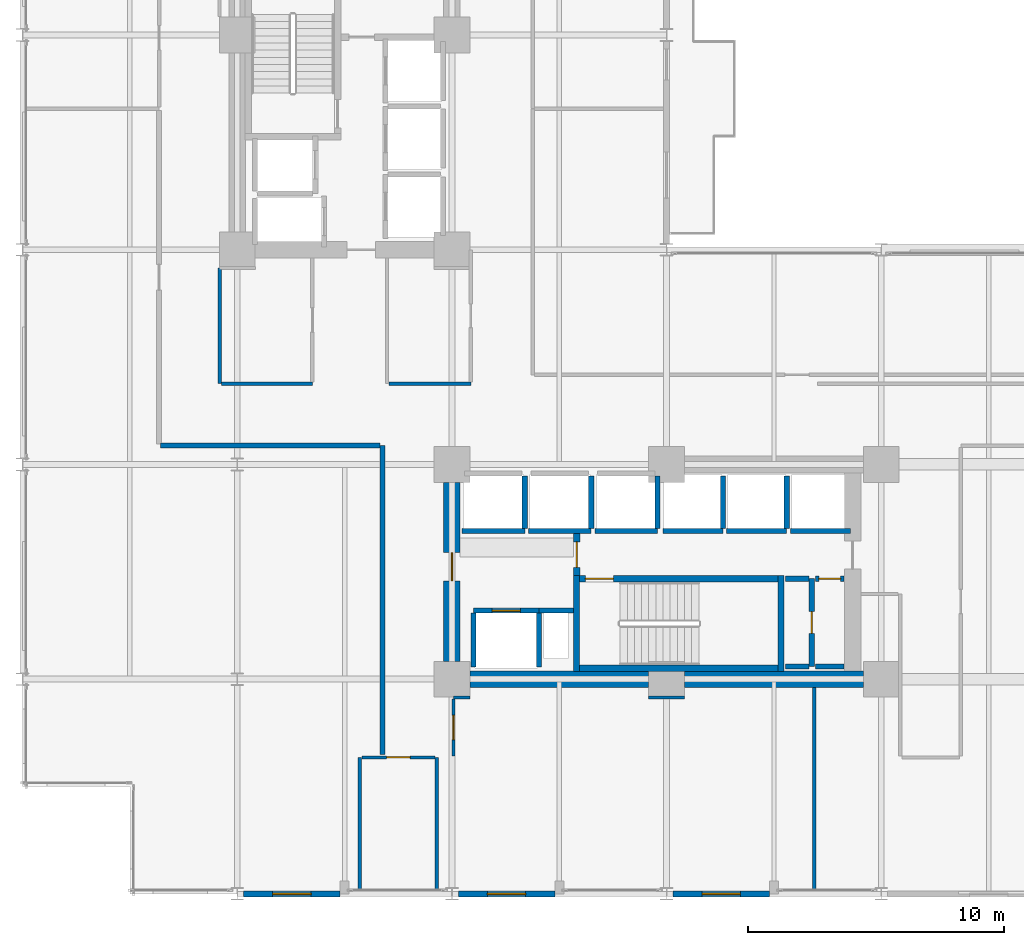
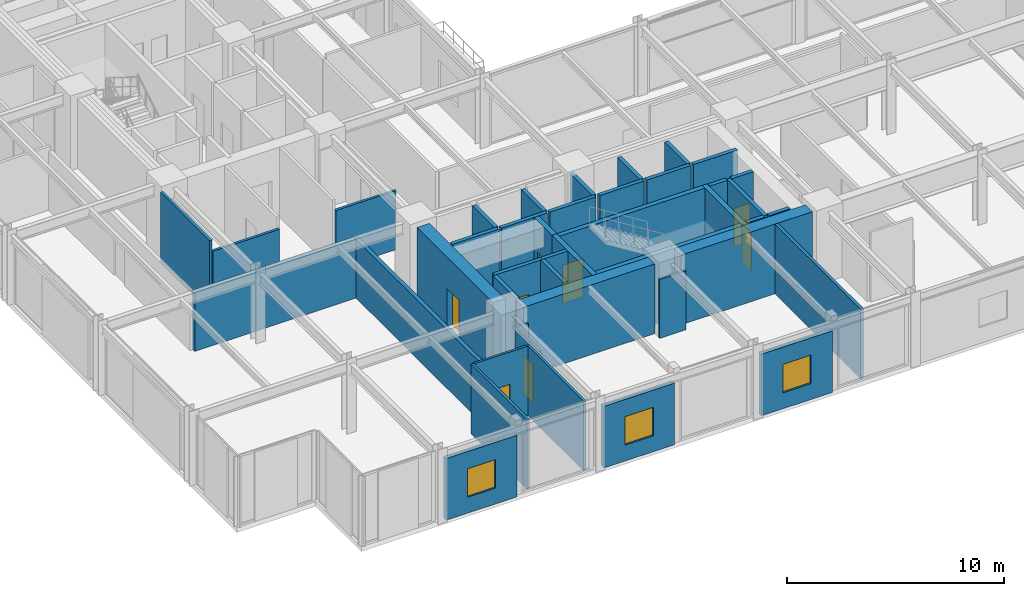
# One storey, part 20 of 25: 43 walls, 8 doors, 3 windows, 11 openings.
"""IFC4 building model written with IfcOpenShell, lengths in metres."""

from ifc_helpers import new_model, si_unit, direction, frame, frame_2d, origin, place, context, subcontext, project, spatial, rectangle, extrude, material, layer, layer_set, type_object, element, fill, save


model = new_model("IFC4")

# Units and contexts
model_context = context("Model", 3, precision=1e-05, world=origin(), true_north=direction((0.0, 1.0)))
body_context = subcontext(model_context, "Body", "Model", "MODEL_VIEW")
ifc_project = project(units=[si_unit("LENGTHUNIT", "METRE"), si_unit("AREAUNIT", "SQUARE_METRE"), si_unit("VOLUMEUNIT", "CUBIC_METRE"), si_unit("PLANEANGLEUNIT", "RADIAN"), si_unit("MASSUNIT", "GRAM", prefix="KILO")], contexts=[model_context])

# Site, building, storey
site_placement = place(None, origin())
site = spatial("IfcSite", under=ifc_project, at=site_placement, CompositionType="ELEMENT")
building_placement = place(site_placement, origin())
building = spatial("IfcBuilding", under=site, at=building_placement, Name="Nerrivon Quay Data Exchange", CompositionType="ELEMENT")
storey_placement = place(building_placement, frame((0.0, 0.0, 58.39990234375)))
storey = spatial("IfcBuildingStorey", under=building, at=storey_placement, Name="L13", CompositionType="ELEMENT", Elevation=58.39990234375)

# Wall, opening, window
ifc_material_1 = material(Name="Architectural terracotta precast concrete N50 (50 MPa)", Category="masonry")
ifc_layer_1 = layer(ifc_material_1, 0.239990234375)
ifc_layer_set_1 = layer_set([ifc_layer_1], Name="Architectural terracotta precast concrete N50 (50 MPa)")
wall_type_1 = type_object("IfcWallType", Name="EW-PREC-240", PredefinedType="STANDARD", material=ifc_layer_set_1)
wall_1_placement = place(storey_placement, frame((29.22509765625, 0.0, 0.0), z_axis=(0.0, 0.0, 1.0), x_axis=(-1.0, 0.0, 0.0)))
wall_1 = element("IfcWall", 1, at=wall_1_placement, inside=storey, type_object=wall_type_1, Name="L13 Podium Precast Spandrel Wall 5", PredefinedType="STANDARD", context=body_context, shape_type="SweptSolid", body=[
    extrude(rectangle(XDim=3.775146484375, YDim=0.239990234375, at=frame_2d((1.8876953125, 0.0))), origin(), (0.0, 0.0, 1.0), 3.47119140625),
])
opening_1_placement = place(wall_1_placement, frame((1.137451171875, 0.0, 0.89990234375)))
opening_1 = element("IfcOpeningElement", 2, at=opening_1_placement, cuts=wall_1, Name="Opening WN4", PredefinedType="OPENING", context=body_context, shape_type="SweptSolid", body=[
    extrude(rectangle(XDim=1.5, YDim=1.60009765625, at=frame_2d((0.75, 0.800048828125))), frame((0.0, 0.1298828125, 0.0), z_axis=(0.0, -1.0, 0.0), x_axis=(1.0, 0.0, 0.0)), (0.0, 0.0, 1.0), 0.260009765625),
])
ifc_material_2 = material(Name="Double-glazed low-E solar control glass", Category="glass")
window_type = type_object("IfcWindowType", Name="WIN-W4-1500x1600", PartitioningType="SINGLE_PANEL", PredefinedType="WINDOW", material=ifc_material_2)
window_1_placement = place(opening_1_placement, origin())
window_1 = element("IfcWindow", 3, at=window_1_placement, inside=storey, type_object=window_type, Name="L13 Solar Facade Window 5", OverallHeight=1.60009765625, OverallWidth=1.5, PartitioningType="SINGLE_PANEL", PredefinedType="WINDOW", context=body_context, shape_type="SweptSolid", body=[
    extrude(rectangle(XDim=1.5, YDim=1.60009765625, at=frame_2d((0.75, 0.800048828125))), frame((0.0, 0.030029296875, 0.0), z_axis=(0.0, -1.0, 0.0), x_axis=(1.0, 0.0, 0.0)), (0.0, 0.0, 1.0), 0.06005859375),
])
fill(opening_1, window_1)

wall_2_placement = place(storey_placement, frame((20.824951171875, 0.0, 0.0), z_axis=(0.0, 0.0, 1.0), x_axis=(-1.0, 0.0, 0.0)))
wall_2 = element("IfcWall", 4, at=wall_2_placement, inside=storey, type_object=wall_type_1, Name="L13 Podium Precast Spandrel Wall 7", PredefinedType="STANDARD", context=body_context, shape_type="SweptSolid", body=[
    extrude(rectangle(XDim=3.77490234375, YDim=0.239990234375, at=frame_2d((1.887451171875, 0.0))), origin(), (0.0, 0.0, 1.0), 3.47119140625),
])
opening_2_placement = place(wall_2_placement, frame((1.137451171875, 0.0, 0.89990234375)))
opening_2 = element("IfcOpeningElement", 5, at=opening_2_placement, cuts=wall_2, Name="Opening WN4", PredefinedType="OPENING", context=body_context, shape_type="SweptSolid", body=[
    extrude(rectangle(XDim=1.5, YDim=1.60009765625, at=frame_2d((0.75, 0.800048828125))), frame((0.0, 0.1298828125, 0.0), z_axis=(0.0, -1.0, 0.0), x_axis=(1.0, 0.0, 0.0)), (0.0, 0.0, 1.0), 0.260009765625),
])
window_2_placement = place(opening_2_placement, origin())
window_2 = element("IfcWindow", 6, at=window_2_placement, inside=storey, type_object=window_type, Name="L13 Solar Facade Window 7", OverallHeight=1.60009765625, OverallWidth=1.5, PartitioningType="SINGLE_PANEL", PredefinedType="WINDOW", context=body_context, shape_type="SweptSolid", body=[
    extrude(rectangle(XDim=1.5, YDim=1.60009765625, at=frame_2d((0.75, 0.800048828125))), frame((0.0, 0.030029296875, 0.0), z_axis=(0.0, -1.0, 0.0), x_axis=(1.0, 0.0, 0.0)), (0.0, 0.0, 1.0), 0.06005859375),
])
fill(opening_2, window_2)

wall_3_placement = place(storey_placement, frame((12.425048828125, 0.0, 0.0), z_axis=(0.0, 0.0, 1.0), x_axis=(-1.0, 0.0, 0.0)))
wall_3 = element("IfcWall", 7, at=wall_3_placement, inside=storey, type_object=wall_type_1, Name="L13 Podium Precast Spandrel Wall 9", PredefinedType="STANDARD", context=body_context, shape_type="SweptSolid", body=[
    extrude(rectangle(XDim=3.775146484375, YDim=0.239990234375, at=frame_2d((1.8876953125, 0.0))), origin(), (0.0, 0.0, 1.0), 3.47119140625),
])
opening_3_placement = place(wall_3_placement, frame((1.137451171875, 0.0, 0.89990234375)))
opening_3 = element("IfcOpeningElement", 8, at=opening_3_placement, cuts=wall_3, Name="Opening WN4", PredefinedType="OPENING", context=body_context, shape_type="SweptSolid", body=[
    extrude(rectangle(XDim=1.5, YDim=1.60009765625, at=frame_2d((0.75, 0.800048828125))), frame((0.0, 0.1298828125, 0.0), z_axis=(0.0, -1.0, 0.0), x_axis=(1.0, 0.0, 0.0)), (0.0, 0.0, 1.0), 0.260009765625),
])
window_3_placement = place(opening_3_placement, origin())
window_3 = element("IfcWindow", 9, at=window_3_placement, inside=storey, type_object=window_type, Name="L13 Solar Facade Window 9", OverallHeight=1.60009765625, OverallWidth=1.5, PartitioningType="SINGLE_PANEL", PredefinedType="WINDOW", context=body_context, shape_type="SweptSolid", body=[
    extrude(rectangle(XDim=1.5, YDim=1.60009765625, at=frame_2d((0.75, 0.800048828125))), frame((0.0, 0.030029296875, 0.0), z_axis=(0.0, -1.0, 0.0), x_axis=(1.0, 0.0, 0.0)), (0.0, 0.0, 1.0), 0.06005859375),
])
fill(opening_3, window_3)

# Walls
ifc_material_3 = material(Name="Concrete N80 (80 MPa)", Category="concrete")
ifc_layer_2 = layer(ifc_material_3, 0.64990234375)
ifc_layer_set_2 = layer_set([ifc_layer_2], Name="Concrete N80 (80 MPa)")
wall_type_2 = type_object("IfcWallType", Name="WALL-CW-850", PredefinedType="SHEAR", material=ifc_layer_set_2)
for number, where, z_axis, x_axis, name in (
    (10, (17.5, 8.39990234375, 0.0), (0.0, 0.0, 1.0), (1.0, 0.0, 0.0), "L13 East Split-Core Shear Wall ECW-S1"),
    (11, (25.89990234375, 8.39990234375, 0.0), (0.0, 0.0, 1.0), (1.0, 0.0, 0.0), "L13 East Split-Core Shear Wall ECW-S2"),
):
    element("IfcWall", number, at=place(storey_placement, frame(where, z_axis=z_axis, x_axis=x_axis)), inside=storey, type_object=wall_type_2, Name=name, PredefinedType="SHEAR", context=body_context, shape_type="SweptSolid", body=[
        extrude(rectangle(XDim=7.0, YDim=0.64990234375, at=frame_2d((3.5, 0.0))), origin(), (0.0, 0.0, 1.0), 3.925048828125),
    ])

# Wall, opening, door
wall_4_placement = place(storey_placement, frame((16.800048828125, 9.10009765625, 0.0), z_axis=(0.0, 0.0, 1.0), x_axis=(0.0, 1.0, 0.0)))
wall_4 = element("IfcWall", 12, at=wall_4_placement, inside=storey, type_object=wall_type_2, Name="L13 East Split-Core Shear Wall ECW-W1", PredefinedType="SHEAR", context=body_context, shape_type="SweptSolid", body=[
    extrude(rectangle(XDim=7.0, YDim=0.64990234375, at=frame_2d((3.5, 0.0))), origin(), (0.0, 0.0, 1.0), 3.925048828125),
])
opening_4_placement = place(wall_4_placement, frame((3.14990234375, 0.0, 0.0)))
opening_4 = element("IfcOpeningElement", 13, at=opening_4_placement, cuts=wall_4, Name="Opening FD-120", PredefinedType="OPENING", context=body_context, shape_type="SweptSolid", body=[
    extrude(rectangle(XDim=1.10009765625, YDim=2.14990234375, at=frame_2d((0.550048828125, 1.074951171875))), frame((0.0, 0.3349609375, 0.0), z_axis=(0.0, -1.0, 0.0), x_axis=(1.0, 0.0, 0.0)), (0.0, 0.0, 1.0), 0.669921875),
])
ifc_material_4 = material(Name="Powder-coated galvanized steel sheet", Category="steel")
door_type_1 = type_object("IfcDoorType", Name="DR-FD120-1100", OperationType="NOTDEFINED", PredefinedType="DOOR", material=ifc_material_4)
door_1_placement = place(opening_4_placement, origin())
door_1 = element("IfcDoor", 14, at=door_1_placement, inside=storey, type_object=door_type_1, Name="L13 East Core Lobby Fire Door", OperationType="SINGLE_SWING_RIGHT", OverallHeight=2.14990234375, OverallWidth=1.10009765625, PredefinedType="DOOR", context=body_context, shape_type="SweptSolid", body=[
    extrude(rectangle(XDim=1.10009765625, YDim=2.14990234375, at=frame_2d((0.550048828125, 1.074951171875))), frame((0.0, 0.02490234375, 0.0), z_axis=(0.0, -1.0, 0.0), x_axis=(1.0, 0.0, 0.0)), (0.0, 0.0, 1.0), 0.050048828125),
])
fill(opening_4, door_1)

# Wall
ifc_material_5 = material(Name="Gypsum plasterboard on cold-formed framing", Category="gypsum")
ifc_layer_3 = layer(ifc_material_5, 0.199951171875)
ifc_layer_set_3 = layer_set([ifc_layer_3], Name="Gypsum plasterboard on cold-formed framing")
wall_type_3 = type_object("IfcWallType", Name="WALL-FW-200", PredefinedType="PARTITIONING", material=ifc_layer_set_3)
wall_5_placement = place(storey_placement, frame((20.199951171875, 11.080078125, 0.0), z_axis=(0.0, 0.0, 1.0), x_axis=(1.0, 0.0, 0.0)))
element("IfcWall", 15, at=wall_5_placement, inside=storey, type_object=wall_type_3, Name="L13 East Core MEP Riser Shaft Wall N", PredefinedType="PARTITIONING", context=body_context, shape_type="SweptSolid", body=[
    extrude(rectangle(XDim=1.35009765625, YDim=0.199951171875, at=frame_2d((0.675048828125, 0.0))), origin(), (0.0, 0.0, 1.0), 3.925048828125),
])

# Wall, opening, door
wall_6_placement = place(storey_placement, frame((17.64990234375, 11.080078125, 0.0), z_axis=(0.0, 0.0, 1.0), x_axis=(1.0, 0.0, 0.0)))
wall_6 = element("IfcWall", 16, at=wall_6_placement, inside=storey, type_object=wall_type_3, Name="L13 Lift Front Wall FFL-2", PredefinedType="PARTITIONING", context=body_context, shape_type="SweptSolid", body=[
    extrude(rectangle(XDim=2.550048828125, YDim=0.199951171875, at=frame_2d((1.27490234375, 0.0))), origin(), (0.0, 0.0, 1.0), 3.925048828125),
])
opening_5_placement = place(wall_6_placement, frame((0.72509765625, 0.0, 0.0)))
opening_5 = element("IfcOpeningElement", 17, at=opening_5_placement, cuts=wall_6, Name="Opening LD-120", PredefinedType="OPENING", context=body_context, shape_type="SweptSolid", body=[
    extrude(rectangle(XDim=1.10009765625, YDim=2.199951171875, at=frame_2d((0.550048828125, 1.10009765625))), frame((0.0, 0.10986328125, 0.0), z_axis=(0.0, -1.0, 0.0), x_axis=(1.0, 0.0, 0.0)), (0.0, 0.0, 1.0), 0.219970703125),
])
door_type_2 = type_object("IfcDoorType", Name="DR-LIFT-LD120", OperationType="DOUBLE_DOOR_SLIDING", PredefinedType="DOOR", material=ifc_material_4)
door_2_placement = place(opening_5_placement, origin())
door_2 = element("IfcDoor", 18, at=door_2_placement, inside=storey, type_object=door_type_2, Name="L13 Lift Landing Sliding Door FFL-2", OperationType="DOUBLE_DOOR_SLIDING", OverallHeight=2.199951171875, OverallWidth=1.10009765625, PredefinedType="DOOR", context=body_context, shape_type="SweptSolid", body=[
    extrude(rectangle(XDim=1.10009765625, YDim=2.199951171875, at=frame_2d((0.550048828125, 1.10009765625))), frame((0.0, 0.02490234375, 0.0), z_axis=(0.0, -1.0, 0.0), x_axis=(1.0, 0.0, 0.0)), (0.0, 0.0, 1.0), 0.050048828125),
])
fill(opening_5, door_2)

# Walls
for number, where, z_axis, x_axis, name in (
    (19, (20.199951171875, 8.8798828125, 0.0), (0.0, 0.0, 1.0), (0.0, 1.0, 0.0), "L13 Lift Shaft Wall FFL-2 EAST"),
    (20, (17.64990234375, 8.8798828125, 0.0), (0.0, 0.0, 1.0), (0.0, 1.0, 0.0), "L13 Lift Shaft Wall FFL-2 WEST"),
):
    element("IfcWall", number, at=place(storey_placement, frame(where, z_axis=z_axis, x_axis=x_axis)), inside=storey, type_object=wall_type_3, Name=name, PredefinedType="PARTITIONING", context=body_context, shape_type="SweptSolid", body=[
        extrude(rectangle(XDim=2.10009765625, YDim=0.199951171875, at=frame_2d((1.050048828125, 0.0))), origin(), (0.0, 0.0, 1.0), 3.925048828125),
    ])
wall_7_placement = place(storey_placement, frame((17.199951171875, 14.199951171875, 0.0), z_axis=(0.0, 0.0, 1.0), x_axis=(1.0, 0.0, 0.0)))
element("IfcWall", 21, at=wall_7_placement, inside=storey, type_object=wall_type_3, Name="L13 Lift Front Wall PL4", PredefinedType="PARTITIONING", context=body_context, shape_type="SweptSolid", body=[
    extrude(rectangle(XDim=2.449951171875, YDim=0.199951171875, at=frame_2d((1.22509765625, 0.0))), origin(), (0.0, 0.0, 1.0), 3.925048828125),
])
wall_8_placement = place(storey_placement, frame((19.64990234375, 14.300048828125, 0.0), z_axis=(0.0, 0.0, 1.0), x_axis=(0.0, 1.0, 0.0)))
element("IfcWall", 22, at=wall_8_placement, inside=storey, type_object=wall_type_3, Name="L13 Lift Shaft Wall PL4 EAST", PredefinedType="PARTITIONING", context=body_context, shape_type="SweptSolid", body=[
    extrude(rectangle(XDim=2.050048828125, YDim=0.199951171875, at=frame_2d((1.02490234375, 0.0))), origin(), (0.0, 0.0, 1.0), 3.925048828125),
])
wall_9_placement = place(storey_placement, frame((19.800048828125, 14.199951171875, 0.0), z_axis=(0.0, 0.0, 1.0), x_axis=(1.0, 0.0, 0.0)))
element("IfcWall", 23, at=wall_9_placement, inside=storey, type_object=wall_type_3, Name="L13 Lift Front Wall PL5", PredefinedType="PARTITIONING", context=body_context, shape_type="SweptSolid", body=[
    extrude(rectangle(XDim=2.449951171875, YDim=0.199951171875, at=frame_2d((1.22509765625, 0.0))), origin(), (0.0, 0.0, 1.0), 3.925048828125),
])
wall_10_placement = place(storey_placement, frame((22.25, 14.300048828125, 0.0), z_axis=(0.0, 0.0, 1.0), x_axis=(0.0, 1.0, 0.0)))
element("IfcWall", 24, at=wall_10_placement, inside=storey, type_object=wall_type_3, Name="L13 Lift Shaft Wall PL5 EAST", PredefinedType="PARTITIONING", context=body_context, shape_type="SweptSolid", body=[
    extrude(rectangle(XDim=2.050048828125, YDim=0.199951171875, at=frame_2d((1.02490234375, 0.0))), origin(), (0.0, 0.0, 1.0), 3.925048828125),
])
wall_11_placement = place(storey_placement, frame((22.39990234375, 14.199951171875, 0.0), z_axis=(0.0, 0.0, 1.0), x_axis=(1.0, 0.0, 0.0)))
element("IfcWall", 25, at=wall_11_placement, inside=storey, type_object=wall_type_3, Name="L13 Lift Front Wall PL6", PredefinedType="PARTITIONING", context=body_context, shape_type="SweptSolid", body=[
    extrude(rectangle(XDim=2.4501953125, YDim=0.199951171875, at=frame_2d((1.22509765625, 0.0))), origin(), (0.0, 0.0, 1.0), 3.925048828125),
])
wall_12_placement = place(storey_placement, frame((24.85009765625, 14.300048828125, 0.0), z_axis=(0.0, 0.0, 1.0), x_axis=(0.0, 1.0, 0.0)))
element("IfcWall", 26, at=wall_12_placement, inside=storey, type_object=wall_type_3, Name="L13 Lift Shaft Wall PL6 EAST", PredefinedType="PARTITIONING", context=body_context, shape_type="SweptSolid", body=[
    extrude(rectangle(XDim=2.050048828125, YDim=0.199951171875, at=frame_2d((1.02490234375, 0.0))), origin(), (0.0, 0.0, 1.0), 3.925048828125),
])
wall_13_placement = place(storey_placement, frame((25.050048828125, 14.199951171875, 0.0), z_axis=(0.0, 0.0, 1.0), x_axis=(1.0, 0.0, 0.0)))
element("IfcWall", 27, at=wall_13_placement, inside=storey, type_object=wall_type_3, Name="L13 Lift Front Wall PL7", PredefinedType="PARTITIONING", context=body_context, shape_type="SweptSolid", body=[
    extrude(rectangle(XDim=2.349853515625, YDim=0.199951171875, at=frame_2d((1.1748046875, 0.0))), origin(), (0.0, 0.0, 1.0), 3.925048828125),
])
wall_14_placement = place(storey_placement, frame((27.39990234375, 14.300048828125, 0.0), z_axis=(0.0, 0.0, 1.0), x_axis=(0.0, 1.0, 0.0)))
element("IfcWall", 28, at=wall_14_placement, inside=storey, type_object=wall_type_3, Name="L13 Lift Shaft Wall PL7 EAST", PredefinedType="PARTITIONING", context=body_context, shape_type="SweptSolid", body=[
    extrude(rectangle(XDim=2.050048828125, YDim=0.199951171875, at=frame_2d((1.02490234375, 0.0))), origin(), (0.0, 0.0, 1.0), 3.925048828125),
])
wall_15_placement = place(storey_placement, frame((27.550048828125, 14.199951171875, 0.0), z_axis=(0.0, 0.0, 1.0), x_axis=(1.0, 0.0, 0.0)))
element("IfcWall", 29, at=wall_15_placement, inside=storey, type_object=wall_type_3, Name="L13 Lift Front Wall PL8", PredefinedType="PARTITIONING", context=body_context, shape_type="SweptSolid", body=[
    extrude(rectangle(XDim=2.349853515625, YDim=0.199951171875, at=frame_2d((1.1748046875, 0.0))), origin(), (0.0, 0.0, 1.0), 3.925048828125),
])
wall_16_placement = place(storey_placement, frame((29.89990234375, 14.300048828125, 0.0), z_axis=(0.0, 0.0, 1.0), x_axis=(0.0, 1.0, 0.0)))
element("IfcWall", 30, at=wall_16_placement, inside=storey, type_object=wall_type_3, Name="L13 Lift Shaft Wall PL8 EAST", PredefinedType="PARTITIONING", context=body_context, shape_type="SweptSolid", body=[
    extrude(rectangle(XDim=2.050048828125, YDim=0.199951171875, at=frame_2d((1.02490234375, 0.0))), origin(), (0.0, 0.0, 1.0), 3.925048828125),
])
wall_17_placement = place(storey_placement, frame((30.050048828125, 14.199951171875, 0.0), z_axis=(0.0, 0.0, 1.0), x_axis=(1.0, 0.0, 0.0)))
element("IfcWall", 31, at=wall_17_placement, inside=storey, type_object=wall_type_3, Name="L13 Lift Front Wall PL9", PredefinedType="PARTITIONING", context=body_context, shape_type="SweptSolid", body=[
    extrude(rectangle(XDim=2.349853515625, YDim=0.199951171875, at=frame_2d((1.1748046875, 0.0))), origin(), (0.0, 0.0, 1.0), 3.925048828125),
])

# Wall, opening, door
wall_18_placement = place(storey_placement, frame((30.8798828125, 8.89990234375, 0.0), z_axis=(0.0, 0.0, 1.0), x_axis=(0.0, 1.0, 0.0)))
wall_18 = element("IfcWall", 32, at=wall_18_placement, inside=storey, type_object=wall_type_3, Name="L13 Partition East Electrical Closet", PredefinedType="PARTITIONING", context=body_context, shape_type="SweptSolid", body=[
    extrude(rectangle(XDim=3.43017578125, YDim=0.199951171875, at=frame_2d((1.715087890625, 0.0))), origin(), (0.0, 0.0, 1.0), 3.925048828125),
])
opening_6_placement = place(wall_18_placement, frame((1.2900390625, 0.0, 0.0)))
opening_6 = element("IfcOpeningElement", 33, at=opening_6_placement, cuts=wall_18, Name="Opening FD-60S", PredefinedType="OPENING", context=body_context, shape_type="SweptSolid", body=[
    extrude(rectangle(XDim=0.85009765625, YDim=2.14990234375, at=frame_2d((0.425048828125, 1.074951171875))), frame((0.0, 0.10986328125, 0.0), z_axis=(0.0, -1.0, 0.0), x_axis=(1.0, 0.0, 0.0)), (0.0, 0.0, 1.0), 0.219970703125),
])
ifc_material_6 = material(Name="Engineered hardwood timber", Category="wood")
door_type_3 = type_object("IfcDoorType", Name="DR-FD60-850", OperationType="NOTDEFINED", PredefinedType="DOOR", material=ifc_material_6)
door_3_placement = place(opening_6_placement, origin())
door_3 = element("IfcDoor", 34, at=door_3_placement, inside=storey, type_object=door_type_3, Name="L13 Door East Electrical Closet", OperationType="SINGLE_SWING_LEFT", OverallHeight=2.14990234375, OverallWidth=0.85009765625, PredefinedType="DOOR", context=body_context, shape_type="SweptSolid", body=[
    extrude(rectangle(XDim=0.85009765625, YDim=2.14990234375, at=frame_2d((0.425048828125, 1.074951171875))), frame((0.0, 0.02490234375, 0.0), z_axis=(0.0, -1.0, 0.0), x_axis=(1.0, 0.0, 0.0)), (0.0, 0.0, 1.0), 0.050048828125),
])
fill(opening_6, door_3)

# Walls
for number, where, z_axis, x_axis, name in (
    (35, (30.77587890625, 12.330078125, 0.0), (0.0, 0.0, 1.0), (-1.0, 0.0, 0.0), "L13 Partition East Electrical Closet"),
    (36, (29.85009765625, 8.89990234375, 0.0), (0.0, 0.0, 1.0), (1.0, 0.0, 0.0), "L13 Partition East Electrical Closet"),
):
    element("IfcWall", number, at=place(storey_placement, frame(where, z_axis=z_axis, x_axis=x_axis)), inside=storey, type_object=wall_type_3, Name=name, PredefinedType="PARTITIONING", context=body_context, shape_type="SweptSolid", body=[
        extrude(rectangle(XDim=0.92578125, YDim=0.199951171875, at=frame_2d((0.462890625, 0.0))), origin(), (0.0, 0.0, 1.0), 3.925048828125),
    ])

# Wall, opening, door
wall_19_placement = place(storey_placement, frame((32.14599609375, 12.330078125, 0.0), z_axis=(0.0, 0.0, 1.0), x_axis=(-1.0, 0.0, 0.0)))
wall_19 = element("IfcWall", 37, at=wall_19_placement, inside=storey, type_object=wall_type_3, Name="L13 Partition East Cleaners Store", PredefinedType="PARTITIONING", context=body_context, shape_type="SweptSolid", body=[
    extrude(rectangle(XDim=1.1259765625, YDim=0.199951171875, at=frame_2d((0.56298828125, 0.0))), origin(), (0.0, 0.0, 1.0), 3.925048828125),
])
opening_7_placement = place(wall_19_placement, frame((0.137939453125, 0.0, 0.0)))
opening_7 = element("IfcOpeningElement", 38, at=opening_7_placement, cuts=wall_19, Name="Opening FD-60S", PredefinedType="OPENING", context=body_context, shape_type="SweptSolid", body=[
    extrude(rectangle(XDim=0.85009765625, YDim=2.14990234375, at=frame_2d((0.425048828125, 1.074951171875))), frame((0.0, 0.10986328125, 0.0), z_axis=(0.0, -1.0, 0.0), x_axis=(1.0, 0.0, 0.0)), (0.0, 0.0, 1.0), 0.219970703125),
])
door_4_placement = place(opening_7_placement, origin())
door_4 = element("IfcDoor", 39, at=door_4_placement, inside=storey, type_object=door_type_3, Name="L13 Door East Cleaners Store", OperationType="SINGLE_SWING_RIGHT", OverallHeight=2.14990234375, OverallWidth=0.85009765625, PredefinedType="DOOR", context=body_context, shape_type="SweptSolid", body=[
    extrude(rectangle(XDim=0.85009765625, YDim=2.14990234375, at=frame_2d((0.425048828125, 1.074951171875))), frame((0.0, 0.02490234375, 0.0), z_axis=(0.0, -1.0, 0.0), x_axis=(1.0, 0.0, 0.0)), (0.0, 0.0, 1.0), 0.050048828125),
])
fill(opening_7, door_4)

# Walls
wall_20_placement = place(storey_placement, frame((31.02001953125, 8.89990234375, 0.0), z_axis=(0.0, 0.0, 1.0), x_axis=(1.0, 0.0, 0.0)))
element("IfcWall", 40, at=wall_20_placement, inside=storey, type_object=wall_type_3, Name="L13 Partition East Cleaners Store", PredefinedType="PARTITIONING", context=body_context, shape_type="SweptSolid", body=[
    extrude(rectangle(XDim=1.1259765625, YDim=0.199951171875, at=frame_2d((0.56298828125, 0.0))), origin(), (0.0, 0.0, 1.0), 3.925048828125),
])
wall_21_placement = place(storey_placement, frame((14.090087890625, 5.4599609375, 0.0), z_axis=(0.0, 0.0, 1.0), x_axis=(0.0, 1.0, 0.0)))
element("IfcWall", 41, at=wall_21_placement, inside=storey, type_object=wall_type_3, Name="L13 Partition Colocation Data Workspace 1", PredefinedType="PARTITIONING", context=body_context, shape_type="SweptSolid", body=[
    extrude(rectangle(XDim=12.080078125, YDim=0.199951171875, at=frame_2d((6.0400390625, 0.0))), origin(), (0.0, 0.0, 1.0), 3.31298828125),
])
wall_22_placement = place(storey_placement, frame((13.986083984375, 17.5400390625, 0.0), z_axis=(0.0, 0.0, 1.0), x_axis=(-1.0, 0.0, 0.0)))
element("IfcWall", 42, at=wall_22_placement, inside=storey, type_object=wall_type_3, Name="L13 Partition Colocation Data Workspace 1", PredefinedType="PARTITIONING", context=body_context, shape_type="SweptSolid", body=[
    extrude(rectangle(XDim=8.586181640625, YDim=0.199951171875, at=frame_2d((4.29296875, 0.0))), origin(), (0.0, 0.0, 1.0), 3.322998046875),
])

# Wall, opening, door
ifc_layer_4 = layer(ifc_material_5, 0.1201171875)
ifc_layer_set_4 = layer_set([ifc_layer_4], Name="Gypsum plasterboard on cold-formed framing")
wall_type_4 = type_object("IfcWallType", Name="WALL-PT-120", PredefinedType="PARTITIONING", material=ifc_layer_set_4)
wall_23_placement = place(storey_placement, frame((16.12841796875, 5.340087890625, 0.0), z_axis=(0.0, 0.0, 1.0), x_axis=(-1.0, 0.0, 0.0)))
wall_23 = element("IfcWall", 43, at=wall_23_placement, inside=storey, type_object=wall_type_4, Name="L13 Partition Accessible Toilet", PredefinedType="PARTITIONING", context=body_context, shape_type="SweptSolid", body=[
    extrude(rectangle(XDim=2.85693359375, YDim=0.1201171875, at=frame_2d((1.428466796875, 0.0))), origin(), (0.0, 0.0, 1.0), 3.925048828125),
])
opening_8_placement = place(wall_23_placement, frame((0.968505859375, 0.0, 0.0)))
opening_8 = element("IfcOpeningElement", 44, at=opening_8_placement, cuts=wall_23, Name="Opening D-WC", PredefinedType="OPENING", context=body_context, shape_type="SweptSolid", body=[
    extrude(rectangle(XDim=0.919921875, YDim=2.10009765625, at=frame_2d((0.4599609375, 1.050048828125))), frame((0.0, 0.070068359375, 0.0), z_axis=(0.0, -1.0, 0.0), x_axis=(1.0, 0.0, 0.0)), (0.0, 0.0, 1.0), 0.14013671875),
])
door_type_4 = type_object("IfcDoorType", Name="DR-WC-920", OperationType="NOTDEFINED", PredefinedType="DOOR", material=ifc_material_6)
door_5_placement = place(opening_8_placement, origin())
door_5 = element("IfcDoor", 45, at=door_5_placement, inside=storey, type_object=door_type_4, Name="L13 Door Accessible Toilet", OperationType="SINGLE_SWING_LEFT", OverallHeight=2.10009765625, OverallWidth=0.919921875, PredefinedType="DOOR", context=body_context, shape_type="SweptSolid", body=[
    extrude(rectangle(XDim=0.919921875, YDim=2.10009765625, at=frame_2d((0.4599609375, 1.050048828125))), frame((0.0, 0.02490234375, 0.0), z_axis=(0.0, -1.0, 0.0), x_axis=(1.0, 0.0, 0.0)), (0.0, 0.0, 1.0), 0.050048828125),
])
fill(opening_8, door_5)

# Walls
wall_24_placement = place(storey_placement, frame((25.90576171875, 7.680908203125, 0.0), z_axis=(0.0, 0.0, 1.0), x_axis=(-0.999999758706, -0.000694685487, 0.0)))
element("IfcWall", 46, at=wall_24_placement, inside=storey, type_object=wall_type_4, Name="L13 Partition Quiet Reading Room", PredefinedType="PARTITIONING", context=body_context, shape_type="SweptSolid", body=[
    extrude(rectangle(XDim=1.40576171875, YDim=0.1201171875, at=frame_2d((0.702880859375, 0.0))), origin(), (0.0, 0.0, 1.0), 3.322998046875),
])
wall_25_placement = place(storey_placement, frame((17.5, 7.679931640625, 0.0), z_axis=(0.0, 0.0, 1.0), x_axis=(-1.0, 0.0, 0.0)))
element("IfcWall", 47, at=wall_25_placement, inside=storey, type_object=wall_type_4, Name="L13 Partition Quiet Reading Room", PredefinedType="PARTITIONING", context=body_context, shape_type="SweptSolid", body=[
    extrude(rectangle(XDim=0.639892578125, YDim=0.1201171875, at=frame_2d((0.31982421875, 0.0))), origin(), (0.0, 0.0, 1.0), 3.322998046875),
])

# Wall, opening, door
wall_26_placement = place(storey_placement, frame((16.860107421875, 7.615966796875, 0.0), z_axis=(0.0, 0.0, 1.0), x_axis=(0.0, -1.0, 0.0)))
wall_26 = element("IfcWall", 48, at=wall_26_placement, inside=storey, type_object=wall_type_4, Name="L13 Partition Quiet Reading Room", PredefinedType="PARTITIONING", context=body_context, shape_type="SweptSolid", body=[
    extrude(rectangle(XDim=2.216064453125, YDim=0.1201171875, at=frame_2d((1.10791015625, 0.0))), origin(), (0.0, 0.0, 1.0), 3.322998046875),
])
opening_9_placement = place(wall_26_placement, frame((0.633056640625, 0.0, 0.0)))
opening_9 = element("IfcOpeningElement", 49, at=opening_9_placement, cuts=wall_26, Name="Opening D-01", PredefinedType="OPENING", context=body_context, shape_type="SweptSolid", body=[
    extrude(rectangle(XDim=0.949951171875, YDim=2.14990234375, at=frame_2d((0.47509765625, 1.074951171875))), frame((0.0, 0.070068359375, 0.0), z_axis=(0.0, -1.0, 0.0), x_axis=(1.0, 0.0, 0.0)), (0.0, 0.0, 1.0), 0.14013671875),
])
door_type_5 = type_object("IfcDoorType", Name="DR-INT-950", OperationType="NOTDEFINED", PredefinedType="DOOR", material=ifc_material_6)
door_6_placement = place(opening_9_placement, origin())
door_6 = element("IfcDoor", 50, at=door_6_placement, inside=storey, type_object=door_type_5, Name="L13 Door Quiet Reading Room", OperationType="SINGLE_SWING_RIGHT", OverallHeight=2.14990234375, OverallWidth=0.949951171875, PredefinedType="DOOR", context=body_context, shape_type="SweptSolid", body=[
    extrude(rectangle(XDim=0.949951171875, YDim=2.14990234375, at=frame_2d((0.47509765625, 1.074951171875))), frame((0.0, 0.02490234375, 0.0), z_axis=(0.0, -1.0, 0.0), x_axis=(1.0, 0.0, 0.0)), (0.0, 0.0, 1.0), 0.050048828125),
])
fill(opening_9, door_6)

# Walls
ifc_layer_5 = layer(ifc_material_5, 0.135009765625)
ifc_layer_set_5 = layer_set([ifc_layer_5], Name="Gypsum plasterboard on cold-formed framing")
wall_type_5 = type_object("IfcWallType", Name="WALL-PT-135", PredefinedType="PARTITIONING", material=ifc_layer_set_5)
for number, where, z_axis, x_axis, name in (
    (51, (13.199951171875, 5.340087890625, 0.0), (0.0, 0.0, 1.0), (0.0, -1.0, 0.0), "L13 Partition Accessible Toilet"),
    (52, (16.199951171875, 0.1689453125, 0.0), (0.0, 0.0, 1.0), (0.0, 1.0, 0.0), "L13 Partition Accessible Toilet"),
):
    element("IfcWall", number, at=place(storey_placement, frame(where, z_axis=z_axis, x_axis=x_axis)), inside=storey, type_object=wall_type_5, Name=name, PredefinedType="PARTITIONING", context=body_context, shape_type="SweptSolid", body=[
        extrude(rectangle(XDim=5.171142578125, YDim=0.135009765625, at=frame_2d((2.58544921875, 0.0))), origin(), (0.0, 0.0, 1.0), 3.925048828125),
    ])
wall_27_placement = place(storey_placement, frame((14.33154296875, 19.9599609375, 0.0), z_axis=(0.0, 0.0, 1.0), x_axis=(1.0, 0.0, 0.0)))
element("IfcWall", 53, at=wall_27_placement, inside=storey, type_object=wall_type_5, Name="L13 Partition Public Washrooms", PredefinedType="PARTITIONING", context=body_context, shape_type="SweptSolid", body=[
    extrude(rectangle(XDim=3.20849609375, YDim=0.135009765625, at=frame_2d((1.604248046875, 0.0))), origin(), (0.0, 0.0, 1.0), 3.322998046875),
])
wall_28_placement = place(storey_placement, frame((7.7099609375, 24.47998046875, 0.0), z_axis=(0.0, 0.0, 1.0), x_axis=(0.0, -1.0, 0.0)))
element("IfcWall", 54, at=wall_28_placement, inside=storey, type_object=wall_type_5, Name="L13 Partition Staff Pantry", PredefinedType="PARTITIONING", context=body_context, shape_type="SweptSolid", body=[
    extrude(rectangle(XDim=4.52001953125, YDim=0.135009765625, at=frame_2d((2.260009765625, 0.0))), origin(), (0.0, 0.0, 1.0), 3.925048828125),
])
wall_29_placement = place(storey_placement, frame((7.781494140625, 19.9599609375, 0.0), z_axis=(0.0, 0.0, 1.0), x_axis=(1.0, 0.0, 0.0)))
element("IfcWall", 55, at=wall_29_placement, inside=storey, type_object=wall_type_5, Name="L13 Partition Staff Pantry", PredefinedType="PARTITIONING", context=body_context, shape_type="SweptSolid", body=[
    extrude(rectangle(XDim=3.55859375, YDim=0.135009765625, at=frame_2d((1.779296875, 0.0))), origin(), (0.0, 0.0, 1.0), 3.322998046875),
])
ifc_layer_6 = layer(ifc_material_5, 0.14990234375)
ifc_layer_set_6 = layer_set([ifc_layer_6], Name="Gypsum plasterboard on cold-formed framing")
wall_type_6 = type_object("IfcWallType", Name="WALL-PT-150", PredefinedType="PARTITIONING", material=ifc_layer_set_6)
wall_30_placement = place(storey_placement, frame((30.974609375, 0.1689453125, 0.0), z_axis=(0.0, 0.0, 1.0), x_axis=(0.0, 1.0, 0.0)))
element("IfcWall", 56, at=wall_30_placement, inside=storey, type_object=wall_type_6, Name="L13 Partition Quiet Reading Room", PredefinedType="PARTITIONING", context=body_context, shape_type="SweptSolid", body=[
    extrude(rectangle(XDim=7.902099609375, YDim=0.14990234375, at=frame_2d((3.951171875, 0.0))), origin(), (0.0, 0.0, 1.0), 3.925048828125),
])
ifc_material_7 = material(Name="Concrete N50 (50 MPa)", Category="concrete")
ifc_layer_7 = layer(ifc_material_7, 0.25)
ifc_layer_set_7 = layer_set([ifc_layer_7], Name="Concrete N50 (50 MPa)")
wall_type_7 = type_object("IfcWallType", Name="WALL-SW-250", PredefinedType="SHEAR", material=ifc_layer_set_7)
for number, where, z_axis, x_axis, name in (
    (57, (21.675048828125, 8.699951171875, 0.0), (0.0, 0.0, 1.0), (0.0, 1.0, 0.0), "L13 ST02 Structural Stair Core Wall NEAR"),
    (58, (29.675048828125, 8.699951171875, 0.0), (0.0, 0.0, 1.0), (0.0, 1.0, 0.0), "L13 ST02 Structural Stair Core Wall FAR"),
):
    element("IfcWall", number, at=place(storey_placement, frame(where, z_axis=z_axis, x_axis=x_axis)), inside=storey, type_object=wall_type_7, Name=name, PredefinedType="SHEAR", context=body_context, shape_type="SweptSolid", body=[
        extrude(rectangle(XDim=3.75, YDim=0.25, at=frame_2d((1.875, 0.0))), origin(), (0.0, 0.0, 1.0), 3.925048828125),
    ])
wall_31_placement = place(storey_placement, frame((21.800048828125, 8.824951171875, 0.0), z_axis=(0.0, 0.0, 1.0), x_axis=(1.0, 0.0, 0.0)))
element("IfcWall", 59, at=wall_31_placement, inside=storey, type_object=wall_type_7, Name="L13 ST02 Structural Stair Core Wall LEFT", PredefinedType="SHEAR", context=body_context, shape_type="SweptSolid", body=[
    extrude(rectangle(XDim=7.75, YDim=0.25, at=frame_2d((3.875, 0.0))), origin(), (0.0, 0.0, 1.0), 3.925048828125),
])

# Wall, opening, door
wall_32_placement = place(storey_placement, frame((21.800048828125, 12.324951171875, 0.0), z_axis=(0.0, 0.0, 1.0), x_axis=(1.0, 0.0, 0.0)))
wall_32 = element("IfcWall", 60, at=wall_32_placement, inside=storey, type_object=wall_type_7, Name="L13 ST02 Structural Stair Core Wall RIGHT", PredefinedType="SHEAR", context=body_context, shape_type="SweptSolid", body=[
    extrude(rectangle(XDim=7.75, YDim=0.25, at=frame_2d((3.875, 0.0))), origin(), (0.0, 0.0, 1.0), 3.925048828125),
])
opening_10_placement = place(wall_32_placement, frame((0.219970703125, 0.0, 0.0)))
opening_10 = element("IfcOpeningElement", 61, at=opening_10_placement, cuts=wall_32, Name="Opening FD-120", PredefinedType="OPENING", context=body_context, shape_type="SweptSolid", body=[
    extrude(rectangle(XDim=1.10009765625, YDim=2.14990234375, at=frame_2d((0.550048828125, 1.074951171875))), frame((0.0, 0.135009765625, 0.0), z_axis=(0.0, -1.0, 0.0), x_axis=(1.0, 0.0, 0.0)), (0.0, 0.0, 1.0), 0.27001953125),
])
door_7_placement = place(opening_10_placement, origin())
door_7 = element("IfcDoor", 62, at=door_7_placement, inside=storey, type_object=door_type_1, Name="L13 Protected Stair Door ST02", OperationType="SINGLE_SWING_RIGHT", OverallHeight=2.14990234375, OverallWidth=1.10009765625, PredefinedType="DOOR", context=body_context, shape_type="SweptSolid", body=[
    extrude(rectangle(XDim=1.10009765625, YDim=2.14990234375, at=frame_2d((0.550048828125, 1.074951171875))), frame((0.0, 0.02490234375, 0.0), z_axis=(0.0, -1.0, 0.0), x_axis=(1.0, 0.0, 0.0)), (0.0, 0.0, 1.0), 0.050048828125),
])
fill(opening_10, door_7)

wall_33_placement = place(storey_placement, frame((21.679931640625, 12.449951171875, 0.0), z_axis=(0.0, 0.0, 1.0), x_axis=(0.0, 1.0, 0.0)))
wall_33 = element("IfcWall", 63, at=wall_33_placement, inside=storey, type_object=wall_type_7, Name="L13 East Firefighting Lobby Wall", PredefinedType="SHEAR", context=body_context, shape_type="SweptSolid", body=[
    extrude(rectangle(XDim=1.650146484375, YDim=0.25, at=frame_2d((0.8251953125, 0.0))), origin(), (0.0, 0.0, 1.0), 3.925048828125),
])
opening_11_placement = place(wall_33_placement, frame((0.324951171875, 0.0, 0.0)))
opening_11 = element("IfcOpeningElement", 64, at=opening_11_placement, cuts=wall_33, Name="Opening FD-60", PredefinedType="OPENING", context=body_context, shape_type="SweptSolid", body=[
    extrude(rectangle(XDim=1.0, YDim=2.14990234375, at=frame_2d((0.5, 1.074951171875))), frame((0.0, 0.135009765625, 0.0), z_axis=(0.0, -1.0, 0.0), x_axis=(1.0, 0.0, 0.0)), (0.0, 0.0, 1.0), 0.27001953125),
])
door_type_6 = type_object("IfcDoorType", Name="DR-FD60-1000", OperationType="NOTDEFINED", PredefinedType="DOOR", material=ifc_material_6)
door_8_placement = place(opening_11_placement, origin())
door_8 = element("IfcDoor", 65, at=door_8_placement, inside=storey, type_object=door_type_6, Name="L13 East Firefighting Lobby Fire Door", OperationType="SINGLE_SWING_RIGHT", OverallHeight=2.14990234375, OverallWidth=1.0, PredefinedType="DOOR", context=body_context, shape_type="SweptSolid", body=[
    extrude(rectangle(XDim=1.0, YDim=2.14990234375, at=frame_2d((0.5, 1.074951171875))), frame((0.0, 0.02490234375, 0.0), z_axis=(0.0, -1.0, 0.0), x_axis=(1.0, 0.0, 0.0)), (0.0, 0.0, 1.0), 0.050048828125),
])
fill(opening_11, door_8)

save(model, "model.ifc")
